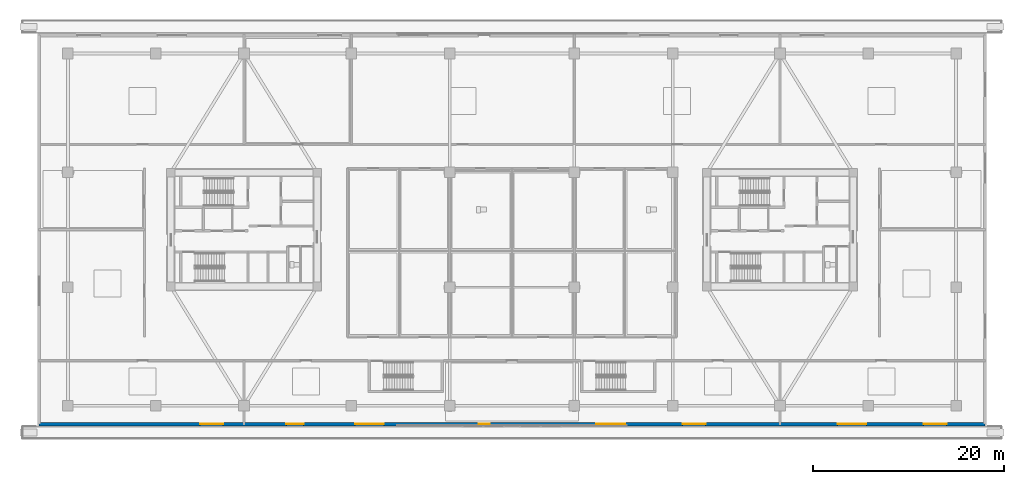
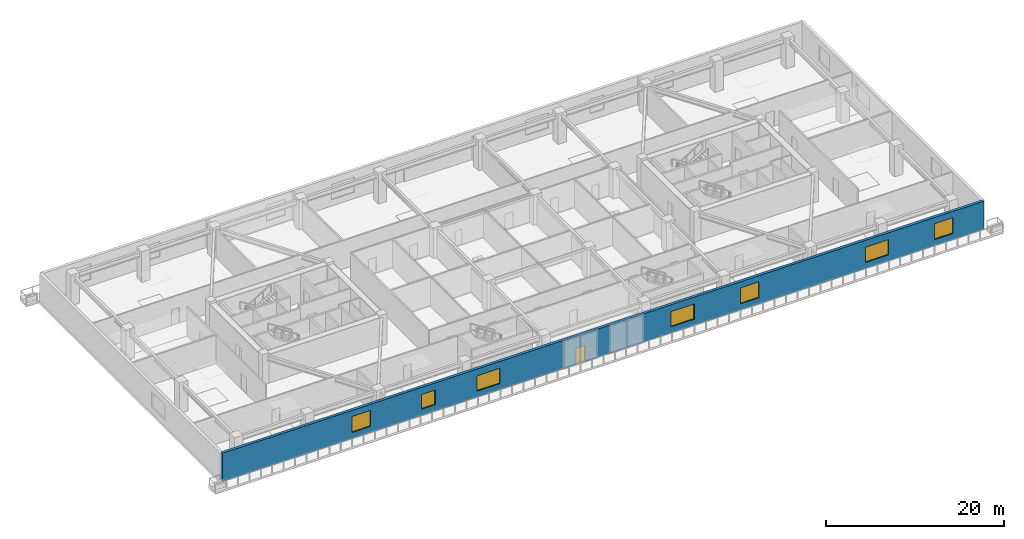
# One storey, part 6 of 22: 7 windows, 1 door, 1 wall, 8 openings.
"""IFC4 building model written with IfcOpenShell, lengths in metres."""

from ifc_helpers import new_model, si_unit, direction, frame, frame_2d, origin, place, context, subcontext, project, spatial, rectangle, extrude, source, transform, mapped, material, layer, layer_set, type_object, type_shapes, element, fill, save


model = new_model("IFC4")

# Units and contexts
model_context = context("Model", 3, precision=1e-05, world=origin(), true_north=direction((0.0, 1.0)))
body_context = subcontext(model_context, "Body", "Model", "MODEL_VIEW")
ifc_project = project(units=[si_unit("LENGTHUNIT", "METRE"), si_unit("AREAUNIT", "SQUARE_METRE"), si_unit("VOLUMEUNIT", "CUBIC_METRE"), si_unit("PLANEANGLEUNIT", "RADIAN"), si_unit("MASSUNIT", "GRAM", prefix="KILO")], contexts=[model_context])

# Site, building, storey
site_placement = place(None, origin())
site = spatial("IfcSite", under=ifc_project, at=site_placement, CompositionType="ELEMENT")
building_placement = place(site_placement, origin())
building = spatial("IfcBuilding", under=site, at=building_placement, Name="Norrkilde Senior Care Towers", CompositionType="ELEMENT")
storey_placement = place(building_placement, frame((0.0, 0.0, 12.60009765625)))
storey = spatial("IfcBuildingStorey", under=building, at=storey_placement, Name="L03", CompositionType="ELEMENT", Elevation=12.60009765625)

# Wall, openings, windows, door
ifc_material_1 = material(Name="Precast concrete C45/55", Category="concrete")
ifc_layer = layer(ifc_material_1, 0.360107421875)
ifc_layer_set = layer_set([ifc_layer], Name="Precast concrete C45/55")
wall_type = type_object("IfcWallType", Name="Podium Facade Wall 360", PredefinedType="SOLIDWALL", material=ifc_layer_set)
shared_shape_1 = source(origin(), body_context, "Body", "SweptSolid", [
    extrude(rectangle(XDim=98.83984375, YDim=0.360107421875, at=frame_2d((49.419921875, 0.0))), origin(), (0.0, 0.0, 1.0), 3.8798828125),
])
type_shapes(wall_type, [shared_shape_1])
wall_placement = place(storey_placement, frame((49.419921875, -20.320068359375, 0.0), z_axis=(0.0, 0.0, 1.0), x_axis=(-1.0, 0.0, 0.0)))
wall = element("IfcWall", 1, at=wall_placement, inside=storey, type_object=wall_type, Name="L03 Podium S Facade Wall", PredefinedType="SOLIDWALL", context=body_context, shape_type="MappedRepresentation", body=[
    mapped(shared_shape_1, transform((0.0, 0.0, 0.0), x_axis=(1.0, 0.0, 0.0), y_axis=(0.0, 1.0, 0.0), z_axis=(0.0, 0.0, 1.0), scale=1.0)),
])
opening_1_placement = place(wall_placement, frame((51.77001953125, 0.0, 0.0)))
opening_1 = element("IfcOpeningElement", 2, at=opening_1_placement, cuts=wall, Name="Opening D-09", PredefinedType="OPENING", context=body_context, shape_type="SweptSolid", body=[
    extrude(rectangle(XDim=1.14990234375, YDim=2.25, at=frame_2d((0.574951171875, 1.125))), frame((0.0, 0.18994140625, 0.0), z_axis=(0.0, -1.0, 0.0), x_axis=(1.0, 0.0, 0.0)), (0.0, 0.0, 1.0), 0.380126953125),
])
opening_2_placement = place(wall_placement, frame((4.0, 0.0, 0.85009765625)))
opening_2 = element("IfcOpeningElement", 3, at=opening_2_placement, cuts=wall, Name="Opening WN-01", PredefinedType="OPENING", context=body_context, shape_type="SweptSolid", body=[
    extrude(rectangle(XDim=2.39990234375, YDim=2.199951171875, at=frame_2d((1.199951171875, 1.10009765625))), frame((0.0, 0.18994140625, 0.0), z_axis=(0.0, -1.0, 0.0), x_axis=(1.0, 0.0, 0.0)), (0.0, 0.0, 1.0), 0.380126953125),
])
opening_3_placement = place(wall_placement, frame((12.39990234375, 0.0, 0.85009765625)))
opening_3 = element("IfcOpeningElement", 4, at=opening_3_placement, cuts=wall, Name="Opening WN-02", PredefinedType="OPENING", context=body_context, shape_type="SweptSolid", body=[
    extrude(rectangle(XDim=3.0, YDim=2.10009765625, at=frame_2d((1.5, 1.050048828125))), frame((0.0, 0.18994140625, 0.0), z_axis=(0.0, -1.0, 0.0), x_axis=(1.0, 0.0, 0.0)), (0.0, 0.0, 1.0), 0.380126953125),
])
opening_4_placement = place(wall_placement, frame((29.199951171875, 0.0, 0.85009765625)))
opening_4 = element("IfcOpeningElement", 5, at=opening_4_placement, cuts=wall, Name="Opening WN-01", PredefinedType="OPENING", context=body_context, shape_type="SweptSolid", body=[
    extrude(rectangle(XDim=2.39990234375, YDim=2.199951171875, at=frame_2d((1.199951171875, 1.10009765625))), frame((0.0, 0.18994140625, 0.0), z_axis=(0.0, -1.0, 0.0), x_axis=(1.0, 0.0, 0.0)), (0.0, 0.0, 1.0), 0.380126953125),
])
opening_5_placement = place(wall_placement, frame((37.60009765625, 0.0, 0.85009765625)))
opening_5 = element("IfcOpeningElement", 6, at=opening_5_placement, cuts=wall, Name="Opening WN-02", PredefinedType="OPENING", context=body_context, shape_type="SweptSolid", body=[
    extrude(rectangle(XDim=3.0, YDim=2.10009765625, at=frame_2d((1.5, 1.050048828125))), frame((0.0, 0.18994140625, 0.0), z_axis=(0.0, -1.0, 0.0), x_axis=(1.0, 0.0, 0.0)), (0.0, 0.0, 1.0), 0.380126953125),
])
opening_6_placement = place(wall_placement, frame((62.800048828125, 0.0, 0.85009765625)))
opening_6 = element("IfcOpeningElement", 7, at=opening_6_placement, cuts=wall, Name="Opening WN-02", PredefinedType="OPENING", context=body_context, shape_type="SweptSolid", body=[
    extrude(rectangle(XDim=3.0, YDim=2.10009765625, at=frame_2d((1.5, 1.050048828125))), frame((0.0, 0.18994140625, 0.0), z_axis=(0.0, -1.0, 0.0), x_axis=(1.0, 0.0, 0.0)), (0.0, 0.0, 1.0), 0.380126953125),
])
opening_7_placement = place(wall_placement, frame((71.199951171875, 0.0, 0.89990234375)))
opening_7 = element("IfcOpeningElement", 8, at=opening_7_placement, cuts=wall, Name="Opening WN-03", PredefinedType="OPENING", context=body_context, shape_type="SweptSolid", body=[
    extrude(rectangle(XDim=1.800048828125, YDim=2.0, at=frame_2d((0.89990234375, 1.0))), frame((0.0, 0.18994140625, 0.0), z_axis=(0.0, -1.0, 0.0), x_axis=(1.0, 0.0, 0.0)), (0.0, 0.0, 1.0), 0.380126953125),
])
opening_8_placement = place(wall_placement, frame((79.60009765625, 0.0, 0.85009765625)))
opening_8 = element("IfcOpeningElement", 9, at=opening_8_placement, cuts=wall, Name="Opening WN-01", PredefinedType="OPENING", context=body_context, shape_type="SweptSolid", body=[
    extrude(rectangle(XDim=2.39990234375, YDim=2.199951171875, at=frame_2d((1.199951171875, 1.10009765625))), frame((0.0, 0.18994140625, 0.0), z_axis=(0.0, -1.0, 0.0), x_axis=(1.0, 0.0, 0.0)), (0.0, 0.0, 1.0), 0.380126953125),
])
ifc_material_2 = material(Name="Triple Low-E Insulated Glazing", Category="glass")
window_type_1 = type_object("IfcWindowType", Name="Podium Clinic Triple Window 2400x2200", PartitioningType="SINGLE_PANEL", PredefinedType="WINDOW", material=ifc_material_2)
shared_shape_2 = source(origin(), body_context, "Body", "SweptSolid", [
    extrude(rectangle(XDim=2.39990234375, YDim=2.199951171875, at=frame_2d((1.199951171875, 1.10009765625))), frame((0.0, 0.030029296875, 0.0), z_axis=(0.0, -1.0, 0.0), x_axis=(1.0, 0.0, 0.0)), (0.0, 0.0, 1.0), 0.06005859375),
])
type_shapes(window_type_1, [shared_shape_2])
window_1_placement = place(opening_2_placement, origin())
window_1 = element("IfcWindow", 10, at=window_1_placement, inside=storey, type_object=window_type_1, Name="L03 S Window 01", OverallHeight=2.199951171875, OverallWidth=2.39990234375, PartitioningType="SINGLE_PANEL", PredefinedType="WINDOW", context=body_context, shape_type="MappedRepresentation", body=[
    mapped(shared_shape_2, transform((0.0, 0.0, 0.0), x_axis=(1.0, 0.0, 0.0), y_axis=(0.0, 1.0, 0.0), z_axis=(0.0, 0.0, 1.0), scale=1.0)),
])
fill(opening_2, window_1)
window_2_placement = place(opening_4_placement, origin())
window_2 = element("IfcWindow", 11, at=window_2_placement, inside=storey, type_object=window_type_1, Name="L03 S Window 04", OverallHeight=2.199951171875, OverallWidth=2.39990234375, PartitioningType="SINGLE_PANEL", PredefinedType="WINDOW", context=body_context, shape_type="MappedRepresentation", body=[
    mapped(shared_shape_2, transform((0.0, 0.0, 0.0), x_axis=(1.0, 0.0, 0.0), y_axis=(0.0, 1.0, 0.0), z_axis=(0.0, 0.0, 1.0), scale=1.0)),
])
fill(opening_4, window_2)
window_3_placement = place(opening_8_placement, origin())
window_3 = element("IfcWindow", 12, at=window_3_placement, inside=storey, type_object=window_type_1, Name="L03 S Window 10", OverallHeight=2.199951171875, OverallWidth=2.39990234375, PartitioningType="SINGLE_PANEL", PredefinedType="WINDOW", context=body_context, shape_type="MappedRepresentation", body=[
    mapped(shared_shape_2, transform((0.0, 0.0, 0.0), x_axis=(1.0, 0.0, 0.0), y_axis=(0.0, 1.0, 0.0), z_axis=(0.0, 0.0, 1.0), scale=1.0)),
])
fill(opening_8, window_3)
window_type_2 = type_object("IfcWindowType", Name="Podium Rehab Ribbon Window 3000x2100", PartitioningType="SINGLE_PANEL", PredefinedType="WINDOW", material=ifc_material_2)
shared_shape_3 = source(origin(), body_context, "Body", "SweptSolid", [
    extrude(rectangle(XDim=3.0, YDim=2.10009765625, at=frame_2d((1.5, 1.050048828125))), frame((0.0, 0.030029296875, 0.0), z_axis=(0.0, -1.0, 0.0), x_axis=(1.0, 0.0, 0.0)), (0.0, 0.0, 1.0), 0.06005859375),
])
type_shapes(window_type_2, [shared_shape_3])
window_4_placement = place(opening_3_placement, origin())
window_4 = element("IfcWindow", 13, at=window_4_placement, inside=storey, type_object=window_type_2, Name="L03 S Window 02", OverallHeight=2.10009765625, OverallWidth=3.0, PartitioningType="SINGLE_PANEL", PredefinedType="WINDOW", context=body_context, shape_type="MappedRepresentation", body=[
    mapped(shared_shape_3, transform((0.0, 0.0, 0.0), x_axis=(1.0, 0.0, 0.0), y_axis=(0.0, 1.0, 0.0), z_axis=(0.0, 0.0, 1.0), scale=1.0)),
])
fill(opening_3, window_4)
window_5_placement = place(opening_5_placement, origin())
window_5 = element("IfcWindow", 14, at=window_5_placement, inside=storey, type_object=window_type_2, Name="L03 S Window 05", OverallHeight=2.10009765625, OverallWidth=3.0, PartitioningType="SINGLE_PANEL", PredefinedType="WINDOW", context=body_context, shape_type="MappedRepresentation", body=[
    mapped(shared_shape_3, transform((0.0, 0.0, 0.0), x_axis=(1.0, 0.0, 0.0), y_axis=(0.0, 1.0, 0.0), z_axis=(0.0, 0.0, 1.0), scale=1.0)),
])
fill(opening_5, window_5)
window_6_placement = place(opening_6_placement, origin())
window_6 = element("IfcWindow", 15, at=window_6_placement, inside=storey, type_object=window_type_2, Name="L03 S Window 08", OverallHeight=2.10009765625, OverallWidth=3.0, PartitioningType="SINGLE_PANEL", PredefinedType="WINDOW", context=body_context, shape_type="MappedRepresentation", body=[
    mapped(shared_shape_3, transform((0.0, 0.0, 0.0), x_axis=(1.0, 0.0, 0.0), y_axis=(0.0, 1.0, 0.0), z_axis=(0.0, 0.0, 1.0), scale=1.0)),
])
fill(opening_6, window_6)
window_type_3 = type_object("IfcWindowType", Name="Podium Therapy Garden Window 1800x2000", PartitioningType="SINGLE_PANEL", PredefinedType="WINDOW", material=ifc_material_2)
shared_shape_4 = source(origin(), body_context, "Body", "SweptSolid", [
    extrude(rectangle(XDim=1.800048828125, YDim=2.0, at=frame_2d((0.89990234375, 1.0))), frame((0.0, 0.030029296875, 0.0), z_axis=(0.0, -1.0, 0.0), x_axis=(1.0, 0.0, 0.0)), (0.0, 0.0, 1.0), 0.06005859375),
])
type_shapes(window_type_3, [shared_shape_4])
window_7_placement = place(opening_7_placement, origin())
window_7 = element("IfcWindow", 16, at=window_7_placement, inside=storey, type_object=window_type_3, Name="L03 S Window 09", OverallHeight=2.0, OverallWidth=1.800048828125, PartitioningType="SINGLE_PANEL", PredefinedType="WINDOW", context=body_context, shape_type="MappedRepresentation", body=[
    mapped(shared_shape_4, transform((0.0, 0.0, 0.0), x_axis=(1.0, 0.0, 0.0), y_axis=(0.0, 1.0, 0.0), z_axis=(0.0, 0.0, 1.0), scale=1.0)),
])
fill(opening_7, window_7)
ifc_material_3 = material(Name="Anodised Aluminium", Category="aluminium")
door_type = type_object("IfcDoorType", Name="Terrace and Balcony Glazed Door 1150x2250", OperationType="NOTDEFINED", PredefinedType="DOOR", material=ifc_material_3)
shared_shape_5 = source(origin(), body_context, "Body", "SweptSolid", [
    extrude(rectangle(XDim=1.14990234375, YDim=2.25, at=frame_2d((0.574951171875, 1.125))), frame((0.0, 0.02490234375, 0.0), z_axis=(0.0, -1.0, 0.0), x_axis=(1.0, 0.0, 0.0)), (0.0, 0.0, 1.0), 0.050048828125),
])
type_shapes(door_type, [shared_shape_5])
door_placement = place(opening_1_placement, origin())
door = element("IfcDoor", 17, at=door_placement, inside=storey, type_object=door_type, Name="L03 South Cascading Garden Terrace Door", OperationType="SINGLE_SWING_RIGHT", OverallHeight=2.25, OverallWidth=1.14990234375, PredefinedType="DOOR", context=body_context, shape_type="MappedRepresentation", body=[
    mapped(shared_shape_5, transform((0.0, 0.0, 0.0), x_axis=(1.0, 0.0, 0.0), y_axis=(0.0, 1.0, 0.0), z_axis=(0.0, 0.0, 1.0), scale=1.0)),
])
fill(opening_1, door)

save(model, "model.ifc")
